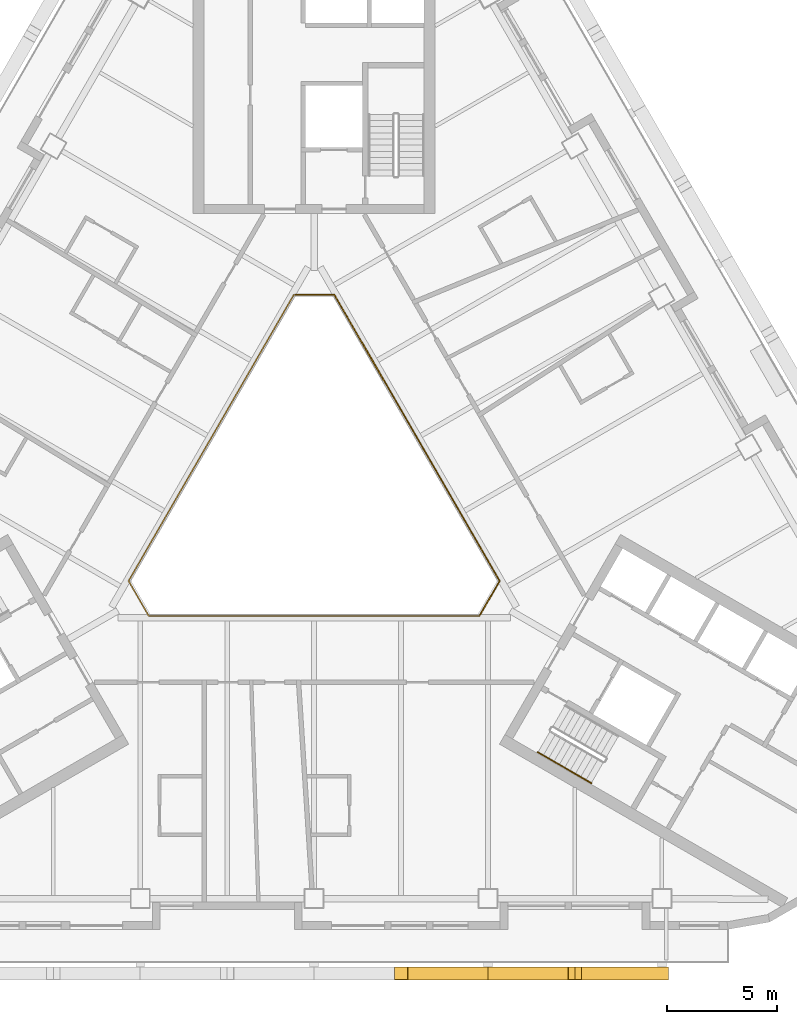
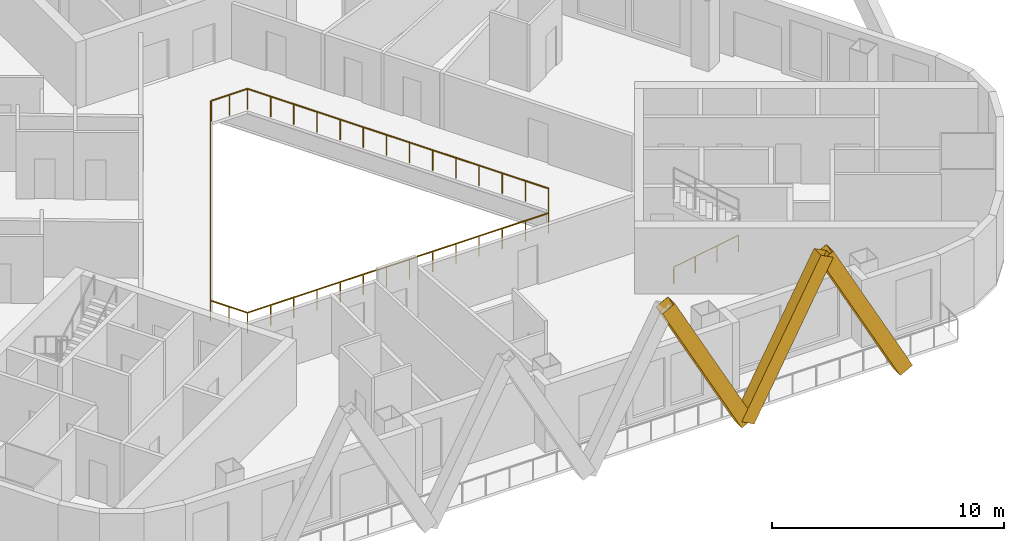
# One storey, part 10 of 13: 3 railings, 3 shading devices.
"""IFC4 building model written with IfcOpenShell, lengths in metres."""

from ifc_helpers import new_model, si_unit, direction, frame, origin, origin_2d, place, context, subcontext, project, spatial, rectangle, hollow_rectangle, circle, extrude, material, material_profile, profile_set, type_object, element, save


model = new_model("IFC4")

# Units and contexts
model_context = context("Model", 3, precision=1e-05, world=origin(), true_north=direction((0.0, 1.0)))
body_context = subcontext(model_context, "Body", "Model", "MODEL_VIEW")
ifc_project = project(units=[si_unit("LENGTHUNIT", "METRE"), si_unit("AREAUNIT", "SQUARE_METRE"), si_unit("VOLUMEUNIT", "CUBIC_METRE"), si_unit("PLANEANGLEUNIT", "RADIAN"), si_unit("MASSUNIT", "GRAM", prefix="KILO")], contexts=[model_context])

# Site, building, storey
site_placement = place(None, origin())
site = spatial("IfcSite", under=ifc_project, at=site_placement, CompositionType="ELEMENT")
building_placement = place(site_placement, origin())
building = spatial("IfcBuilding", under=site, at=building_placement, Name="Apuvela Tower Hotel", CompositionType="ELEMENT")
storey_placement = place(building_placement, frame((0.0, 0.0, 105.699951171875)))
storey = spatial("IfcBuildingStorey", under=building, at=storey_placement, Name="L24", CompositionType="ELEMENT", Elevation=105.699951171875)

# Railing
ifc_material_1 = material(Name="Stainless steel 316 handrail", Category="steel")
railing_type_1 = type_object("IfcRailingType", Name="COR-HANDRAIL-900", PredefinedType="HANDRAIL", material=ifc_material_1)
railing_1_placement = place(storey_placement, frame((10.1689453125, -11.5869140625, 0.168212890625)))
element("IfcRailing", 1, at=railing_1_placement, inside=storey, type_object=railing_type_1, Name="L24 ST3 stair handrail 1", PredefinedType="HANDRAIL", context=body_context, shape_type="SweptSolid", body=[
    extrude(circle(Radius=0.02392578125, at=origin_2d()), frame((0.0, 0.0, 0.8759765625), z_axis=(0.742390482028, -0.42860119049, 0.514934356695), x_axis=(0.49998411664, 0.866034573852, 0.0)), (0.0, 0.0, 1.0), 3.26611328125),
    extrude(rectangle(XDim=0.0419921875, YDim=0.0419921875, at=origin_2d()), origin(), (0.0, 0.0, 1.0), 0.851806640625),
    extrude(rectangle(XDim=0.0419921875, YDim=0.0419921875, at=origin_2d()), frame((0.808349609375, -0.466552734375, 0.560546875)), (0.0, 0.0, 1.0), 0.851806640625),
    extrude(rectangle(XDim=0.0419921875, YDim=0.0419921875, at=origin_2d()), frame((1.616455078125, -0.933349609375, 1.121337890625)), (0.0, 0.0, 1.0), 0.851806640625),
    extrude(rectangle(XDim=0.0419921875, YDim=0.0419921875, at=origin_2d()), frame((2.4248046875, -1.39990234375, 1.681884765625)), (0.0, 0.0, 1.0), 0.851806640625),
])

# Shading devices
ifc_material_2 = material(Name="Aluminium 6063-T6, black anodised", Category="aluminium")
ifc_material_profile = material_profile(ifc_material_2, hollow_rectangle(XDim=0.60009765625, YDim=0.699951171875, WallThickness=0.011962890625, at=origin_2d()), Name="AL BOX 700x600x12")
ifc_profile_set = profile_set([ifc_material_profile], Name="Aluminium 6063-T6, black anodised")
shading_device_type = type_object("IfcShadingDeviceType", Name="ENV-FIN-700x600", PredefinedType="USERDEFINED", material=ifc_profile_set)
for number, where, z_axis, x_axis, name in (
    (2, (7.89990234375, -21.6298828125, -0.099853515625), (-0.470897892863, 0.0, 0.882187720668), (0.0, -1.0, 0.0), "Lattice fin S166"),
    (3, (7.89990234375, -21.6298828125, -0.099853515625), (0.470920543904, 0.0, 0.882175629526), (0.0, 1.0, 0.0), "Lattice fin S167"),
    (4, (15.800048828125, -21.6298828125, -0.099853515625), (-0.470897892863, 0.0, 0.882187720668), (0.0, -1.0, 0.0), "Lattice fin S168"),
):
    element("IfcShadingDevice", number, at=place(storey_placement, frame(where, z_axis=z_axis, x_axis=x_axis)), inside=storey, type_object=shading_device_type, Name=name, ObjectType="FIN", PredefinedType="USERDEFINED", context=body_context, shape_type="SweptSolid", body=[
        extrude(hollow_rectangle(XDim=0.60009765625, YDim=0.699951171875, WallThickness=0.011962890625, at=origin_2d()), origin(), (0.0, 0.0, 1.0), 8.38818359375),
    ])

# Railings
ifc_material_3 = material(Name="Stainless steel 316 rail with laminated glass infill", Category="steel")
railing_type_2 = type_object("IfcRailingType", Name="ENV-GUARD-1100", PredefinedType="GUARDRAIL", material=ifc_material_3)
railing_2_placement = place(storey_placement, frame((-0.923828125, 9.199951171875, 0.0)))
element("IfcRailing", 5, at=railing_2_placement, inside=storey, type_object=railing_type_2, Name="Atrium void guard A L24", PredefinedType="GUARDRAIL", context=body_context, shape_type="SweptSolid", body=[
    extrude(rectangle(XDim=0.050048828125, YDim=0.050048828125, at=origin_2d()), frame((0.0, 0.0, 1.0751953125), z_axis=(-0.499990886379, -0.866030665472, 0.0), x_axis=(0.866030665472, -0.499990886379, 0.0)), (0.0, 0.0, 1.0), 15.010986328125),
    extrude(rectangle(XDim=0.050048828125, YDim=0.050048828125, at=origin_2d()), frame((-7.50537109375, -13.0, 1.0751953125), z_axis=(0.499962699187, -0.866046938348, 0.0), x_axis=(0.866046938348, 0.499962699187, 0.0)), (0.0, 0.0, 1.0), 1.847412109375),
    extrude(rectangle(XDim=0.050048828125, YDim=0.050048828125, at=origin_2d()), frame((-6.581787109375, -14.599853515625, 1.0751953125), z_axis=(1.0, 0.0, 0.0), x_axis=(0.0, 1.0, 0.0)), (0.0, 0.0, 1.0), 15.01123046875),
    extrude(rectangle(XDim=0.0400390625, YDim=0.0400390625, at=origin_2d()), origin(), (0.0, 0.0, 1.0), 1.050048828125),
    extrude(rectangle(XDim=0.0400390625, YDim=0.0400390625, at=origin_2d()), frame((-0.577392578125, -1.0, 0.0)), (0.0, 0.0, 1.0), 1.050048828125),
    extrude(rectangle(XDim=0.0400390625, YDim=0.0400390625, at=origin_2d()), frame((-1.15478515625, -2.0, 0.0)), (0.0, 0.0, 1.0), 1.050048828125),
    extrude(rectangle(XDim=0.0400390625, YDim=0.0400390625, at=origin_2d()), frame((-1.73193359375, -3.0, 0.0)), (0.0, 0.0, 1.0), 1.050048828125),
    extrude(rectangle(XDim=0.0400390625, YDim=0.0400390625, at=origin_2d()), frame((-2.309326171875, -4.0, 0.0)), (0.0, 0.0, 1.0), 1.050048828125),
    extrude(rectangle(XDim=0.0400390625, YDim=0.0400390625, at=origin_2d()), frame((-2.88671875, -5.0, 0.0)), (0.0, 0.0, 1.0), 1.050048828125),
    extrude(rectangle(XDim=0.0400390625, YDim=0.0400390625, at=origin_2d()), frame((-3.464111328125, -6.0, 0.0)), (0.0, 0.0, 1.0), 1.050048828125),
    extrude(rectangle(XDim=0.0400390625, YDim=0.0400390625, at=origin_2d()), frame((-4.041259765625, -7.0, 0.0)), (0.0, 0.0, 1.0), 1.050048828125),
    extrude(rectangle(XDim=0.0400390625, YDim=0.0400390625, at=origin_2d()), frame((-4.61865234375, -8.0, 0.0)), (0.0, 0.0, 1.0), 1.050048828125),
    extrude(rectangle(XDim=0.0400390625, YDim=0.0400390625, at=origin_2d()), frame((-5.196044921875, -9.0, 0.0)), (0.0, 0.0, 1.0), 1.050048828125),
    extrude(rectangle(XDim=0.0400390625, YDim=0.0400390625, at=origin_2d()), frame((-5.7734375, -10.0, 0.0)), (0.0, 0.0, 1.0), 1.050048828125),
    extrude(rectangle(XDim=0.0400390625, YDim=0.0400390625, at=origin_2d()), frame((-6.3505859375, -11.0, 0.0)), (0.0, 0.0, 1.0), 1.050048828125),
    extrude(rectangle(XDim=0.0400390625, YDim=0.0400390625, at=origin_2d()), frame((-6.927978515625, -12.0, 0.0)), (0.0, 0.0, 1.0), 1.050048828125),
    extrude(rectangle(XDim=0.0400390625, YDim=0.0400390625, at=origin_2d()), frame((-7.50537109375, -13.0, 0.0)), (0.0, 0.0, 1.0), 1.050048828125),
    extrude(rectangle(XDim=0.0400390625, YDim=0.0400390625, at=origin_2d()), frame((-7.04345703125, -13.7998046875, 0.0)), (0.0, 0.0, 1.0), 1.050048828125),
    extrude(rectangle(XDim=0.0400390625, YDim=0.0400390625, at=origin_2d()), frame((-6.581787109375, -14.599853515625, 0.0)), (0.0, 0.0, 1.0), 1.050048828125),
    extrude(rectangle(XDim=0.0400390625, YDim=0.0400390625, at=origin_2d()), frame((-5.427001953125, -14.599853515625, 0.0)), (0.0, 0.0, 1.0), 1.050048828125),
    extrude(rectangle(XDim=0.0400390625, YDim=0.0400390625, at=origin_2d()), frame((-4.2724609375, -14.599853515625, 0.0)), (0.0, 0.0, 1.0), 1.050048828125),
    extrude(rectangle(XDim=0.0400390625, YDim=0.0400390625, at=origin_2d()), frame((-3.11767578125, -14.599853515625, 0.0)), (0.0, 0.0, 1.0), 1.050048828125),
    extrude(rectangle(XDim=0.0400390625, YDim=0.0400390625, at=origin_2d()), frame((-1.962890625, -14.599853515625, 0.0)), (0.0, 0.0, 1.0), 1.050048828125),
    extrude(rectangle(XDim=0.0400390625, YDim=0.0400390625, at=origin_2d()), frame((-0.808349609375, -14.599853515625, 0.0)), (0.0, 0.0, 1.0), 1.050048828125),
    extrude(rectangle(XDim=0.0400390625, YDim=0.0400390625, at=origin_2d()), frame((0.346435546875, -14.599853515625, 0.0)), (0.0, 0.0, 1.0), 1.050048828125),
    extrude(rectangle(XDim=0.0400390625, YDim=0.0400390625, at=origin_2d()), frame((1.501220703125, -14.599853515625, 0.0)), (0.0, 0.0, 1.0), 1.050048828125),
    extrude(rectangle(XDim=0.0400390625, YDim=0.0400390625, at=origin_2d()), frame((2.656005859375, -14.599853515625, 0.0)), (0.0, 0.0, 1.0), 1.050048828125),
    extrude(rectangle(XDim=0.0400390625, YDim=0.0400390625, at=origin_2d()), frame((3.810546875, -14.599853515625, 0.0)), (0.0, 0.0, 1.0), 1.050048828125),
    extrude(rectangle(XDim=0.0400390625, YDim=0.0400390625, at=origin_2d()), frame((4.96533203125, -14.599853515625, 0.0)), (0.0, 0.0, 1.0), 1.050048828125),
    extrude(rectangle(XDim=0.0400390625, YDim=0.0400390625, at=origin_2d()), frame((6.1201171875, -14.599853515625, 0.0)), (0.0, 0.0, 1.0), 1.050048828125),
    extrude(rectangle(XDim=0.0400390625, YDim=0.0400390625, at=origin_2d()), frame((7.274658203125, -14.599853515625, 0.0)), (0.0, 0.0, 1.0), 1.050048828125),
    extrude(rectangle(XDim=0.0400390625, YDim=0.0400390625, at=origin_2d()), frame((8.429443359375, -14.599853515625, 0.0)), (0.0, 0.0, 1.0), 1.050048828125),
])
railing_3_placement = place(storey_placement, frame((7.53564453125, -5.347900390625, 0.0)))
element("IfcRailing", 6, at=railing_3_placement, inside=storey, type_object=railing_type_2, Name="Atrium void guard B L24", PredefinedType="GUARDRAIL", context=body_context, shape_type="SweptSolid", body=[
    extrude(rectangle(XDim=0.050048828125, YDim=0.050048828125, at=origin_2d()), frame((0.0, 0.0, 1.0751953125), z_axis=(0.499958946799, 0.866049104564, 0.0), x_axis=(-0.866049104564, 0.499958946799, 0.0)), (0.0, 0.0, 1.0), 1.787353515625),
    extrude(rectangle(XDim=0.050048828125, YDim=0.050048828125, at=origin_2d()), frame((0.8935546875, 1.5478515625, 1.0751953125), z_axis=(-0.499990886379, 0.866030665472, 0.0), x_axis=(-0.866030665472, -0.499990886379, 0.0)), (0.0, 0.0, 1.0), 15.010986328125),
    extrude(rectangle(XDim=0.050048828125, YDim=0.050048828125, at=origin_2d()), frame((-6.61181640625, 14.5478515625, 1.0751953125), z_axis=(-1.0, 0.0, 0.0), x_axis=(0.0, -1.0, 0.0)), (0.0, 0.0, 1.0), 1.78759765625),
    extrude(rectangle(XDim=0.0400390625, YDim=0.0400390625, at=origin_2d()), origin(), (0.0, 0.0, 1.0), 1.050048828125),
    extrude(rectangle(XDim=0.0400390625, YDim=0.0400390625, at=origin_2d()), frame((0.44677734375, 0.77392578125, 0.0)), (0.0, 0.0, 1.0), 1.050048828125),
    extrude(rectangle(XDim=0.0400390625, YDim=0.0400390625, at=origin_2d()), frame((0.8935546875, 1.5478515625, 0.0)), (0.0, 0.0, 1.0), 1.050048828125),
    extrude(rectangle(XDim=0.0400390625, YDim=0.0400390625, at=origin_2d()), frame((0.316162109375, 2.5478515625, 0.0)), (0.0, 0.0, 1.0), 1.050048828125),
    extrude(rectangle(XDim=0.0400390625, YDim=0.0400390625, at=origin_2d()), frame((-0.26123046875, 3.5478515625, 0.0)), (0.0, 0.0, 1.0), 1.050048828125),
    extrude(rectangle(XDim=0.0400390625, YDim=0.0400390625, at=origin_2d()), frame((-0.83837890625, 4.5478515625, 0.0)), (0.0, 0.0, 1.0), 1.050048828125),
    extrude(rectangle(XDim=0.0400390625, YDim=0.0400390625, at=origin_2d()), frame((-1.415771484375, 5.5478515625, 0.0)), (0.0, 0.0, 1.0), 1.050048828125),
    extrude(rectangle(XDim=0.0400390625, YDim=0.0400390625, at=origin_2d()), frame((-1.9931640625, 6.5478515625, 0.0)), (0.0, 0.0, 1.0), 1.050048828125),
    extrude(rectangle(XDim=0.0400390625, YDim=0.0400390625, at=origin_2d()), frame((-2.570556640625, 7.5478515625, 0.0)), (0.0, 0.0, 1.0), 1.050048828125),
    extrude(rectangle(XDim=0.0400390625, YDim=0.0400390625, at=origin_2d()), frame((-3.147705078125, 8.5478515625, 0.0)), (0.0, 0.0, 1.0), 1.050048828125),
    extrude(rectangle(XDim=0.0400390625, YDim=0.0400390625, at=origin_2d()), frame((-3.72509765625, 9.5478515625, 0.0)), (0.0, 0.0, 1.0), 1.050048828125),
    extrude(rectangle(XDim=0.0400390625, YDim=0.0400390625, at=origin_2d()), frame((-4.302490234375, 10.5478515625, 0.0)), (0.0, 0.0, 1.0), 1.050048828125),
    extrude(rectangle(XDim=0.0400390625, YDim=0.0400390625, at=origin_2d()), frame((-4.8798828125, 11.5478515625, 0.0)), (0.0, 0.0, 1.0), 1.050048828125),
    extrude(rectangle(XDim=0.0400390625, YDim=0.0400390625, at=origin_2d()), frame((-5.45703125, 12.5478515625, 0.0)), (0.0, 0.0, 1.0), 1.050048828125),
    extrude(rectangle(XDim=0.0400390625, YDim=0.0400390625, at=origin_2d()), frame((-6.034423828125, 13.5478515625, 0.0)), (0.0, 0.0, 1.0), 1.050048828125),
    extrude(rectangle(XDim=0.0400390625, YDim=0.0400390625, at=origin_2d()), frame((-6.61181640625, 14.5478515625, 0.0)), (0.0, 0.0, 1.0), 1.050048828125),
    extrude(rectangle(XDim=0.0400390625, YDim=0.0400390625, at=origin_2d()), frame((-7.505615234375, 14.5478515625, 0.0)), (0.0, 0.0, 1.0), 1.050048828125),
    extrude(rectangle(XDim=0.0400390625, YDim=0.0400390625, at=origin_2d()), frame((-8.3994140625, 14.5478515625, 0.0)), (0.0, 0.0, 1.0), 1.050048828125),
])

save(model, "model.ifc")
